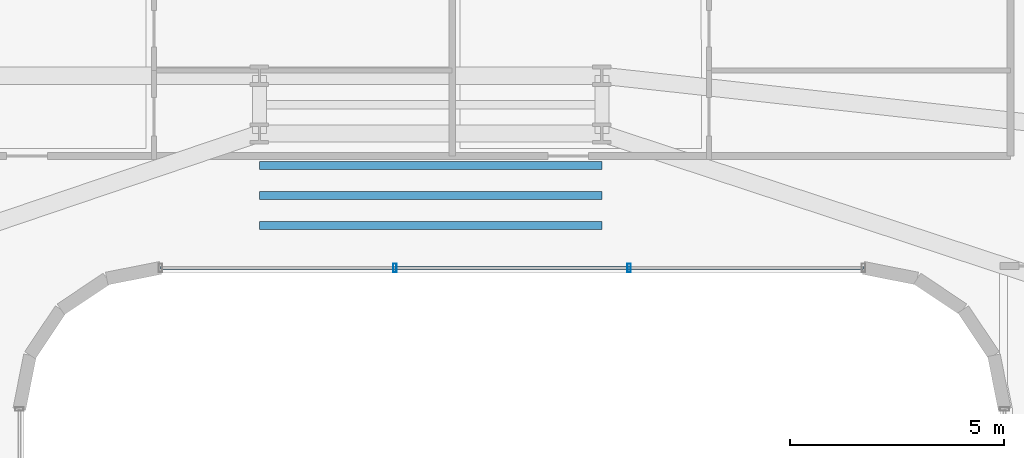
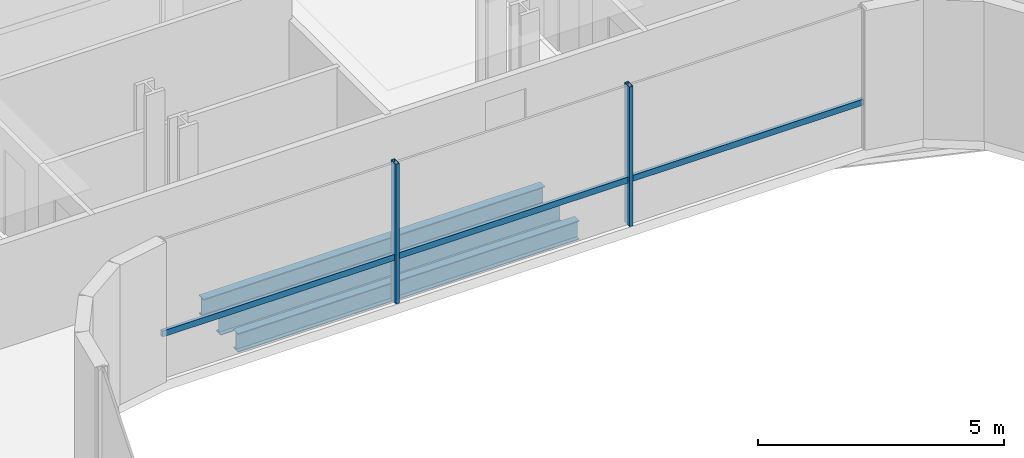
# One storey, part 16 of 41: 3 beams, 3 members, 1 element without a shape of its own.
"""IFC4 building model written with IfcOpenShell, lengths in metres."""

from ifc_helpers import new_model, si_unit, direction, frame, origin, origin_2d, place, context, subcontext, project, spatial, hollow_rectangle, i_section, extrude, source, transform, mapped, material, material_profile, profile_set, type_object, element, aggregate, save


model = new_model("IFC4")

# Units and contexts
model_context = context("Model", 3, precision=1e-05, world=origin(), true_north=direction((0.0, 1.0)))
body_context = subcontext(model_context, "Body", "Model", "MODEL_VIEW")
ifc_project = project(units=[si_unit("LENGTHUNIT", "METRE"), si_unit("AREAUNIT", "SQUARE_METRE"), si_unit("VOLUMEUNIT", "CUBIC_METRE"), si_unit("PLANEANGLEUNIT", "RADIAN"), si_unit("MASSUNIT", "GRAM", prefix="KILO")], contexts=[model_context])

# Site, building, storey
site_placement = place(None, origin())
site = spatial("IfcSite", under=ifc_project, at=site_placement, CompositionType="ELEMENT")
building_placement = place(site_placement, origin())
building = spatial("IfcBuilding", under=site, at=building_placement, Name="Valdorenza Pilgrim Sanctuary Tower", CompositionType="ELEMENT")
storey_placement = place(building_placement, frame((0.0, 0.0, 85.199951171875)))
storey = spatial("IfcBuildingStorey", under=building, at=storey_placement, Name="L21", CompositionType="ELEMENT", Elevation=85.199951171875)

# Beams
ifc_material_1 = material(Name="Steel ASTM A992 Grade 50", Category="steel")
ifc_material_profile_1 = material_profile(ifc_material_1, i_section(OverallWidth=0.193115234375, OverallDepth=0.466064453125, WebThickness=0.011474609375, FlangeThickness=0.01904296875, at=origin_2d()), Name="W18X65")
ifc_profile_set_1 = profile_set([ifc_material_profile_1], Name="Steel ASTM A992 Grade 50")
beam_type = type_object("IfcBeamType", Name="STR-BM-JST-W18A", PredefinedType="JOIST", material=ifc_profile_set_1)
shared_shape_1 = source(origin(), body_context, "Body", "SweptSolid", [
    extrude(i_section(OverallWidth=0.193115234375, OverallDepth=0.466064453125, WebThickness=0.011474609375, FlangeThickness=0.01904296875, at=origin_2d()), origin(), (0.0, 0.0, 1.0), 8.0),
])
for number, where, z_axis, x_axis, name in (
    (1, (-4.0, 11.300048828125, -0.472900390625), (1.0, 0.0, 0.0), (0.0, 1.0, 0.0), "L21 Knuckle Composite Joist JST-KNK-1"),
    (2, (-4.0, 12.0, -0.472900390625), (1.0, 0.0, 0.0), (0.0, 1.0, 0.0), "L21 Knuckle Composite Joist JST-KNK-2"),
    (3, (-4.0, 12.699951171875, -0.472900390625), (1.0, 0.0, 0.0), (0.0, 1.0, 0.0), "L21 Knuckle Composite Joist JST-KNK-3"),
):
    element("IfcBeam", number, at=place(storey_placement, frame(where, z_axis=z_axis, x_axis=x_axis)), inside=storey, type_object=beam_type, Name=name, PredefinedType="JOIST", context=body_context, shape_type="MappedRepresentation", body=[
        mapped(shared_shape_1, transform((0.0, 0.0, 0.0), x_axis=(1.0, 0.0, 0.0), y_axis=(0.0, 1.0, 0.0), z_axis=(0.0, 0.0, 1.0), scale=1.0)),
    ])

# Curtain wall, members
ifc_material_2 = material(Name="Curtain-wall IGU glazing", Category="glass")
curtain_wall_type = type_object("IfcCurtainWallType", Name="CW-SYS-02", PredefinedType="NOTDEFINED", material=ifc_material_2)
curtain_wall_placement = place(storey_placement, origin())
curtain_wall = element("IfcCurtainWall", 4, at=curtain_wall_placement, inside=storey, type_object=curtain_wall_type, Name="L21 Curtain Wall CW-L21-1-36", PredefinedType="NOTDEFINED")
ifc_material_3 = material(Name="Anodised aluminium AW-6060", Category="aluminium")
ifc_material_profile_2 = material_profile(ifc_material_3, hollow_rectangle(XDim=0.0849609375, YDim=0.199951171875, WallThickness=0.0048828125, at=origin_2d()), Name="ALU-M 200x85x5")
ifc_profile_set_2 = profile_set([ifc_material_profile_2], Name="Anodised aluminium AW-6060")
member_type_1 = type_object("IfcMemberType", Name="CW-MUL-02", PredefinedType="MULLION", material=ifc_profile_set_2)
shared_shape_2 = source(origin(), body_context, "Body", "SweptSolid", [
    extrude(hollow_rectangle(XDim=0.0849609375, YDim=0.199951171875, WallThickness=0.0048828125, at=origin_2d()), origin(), (0.0, 0.0, 1.0), 3.4599609375),
])
member_1_placement = place(storey_placement, frame((4.636962890625, 10.31005859375, 0.0), z_axis=(0.0, 0.0, 1.0), x_axis=(-1.0, 0.0, 0.0)))
member_1 = element("IfcMember", 5, at=member_1_placement, type_object=member_type_1, Name="CW-L21-1-36 Mullion 2", PredefinedType="MULLION", context=body_context, shape_type="MappedRepresentation", body=[
    mapped(shared_shape_2, transform((0.0, 0.0, 0.0), x_axis=(1.0, 0.0, 0.0), y_axis=(0.0, 1.0, 0.0), z_axis=(0.0, 0.0, 1.0), scale=1.0)),
])
member_2_placement = place(storey_placement, frame((-0.8369140625, 10.31005859375, 0.0), z_axis=(0.0, 0.0, 1.0), x_axis=(-1.0, 0.0, 0.0)))
member_2 = element("IfcMember", 6, at=member_2_placement, type_object=member_type_1, Name="CW-L21-1-36 Mullion 3", PredefinedType="MULLION", context=body_context, shape_type="MappedRepresentation", body=[
    mapped(shared_shape_2, transform((0.0, 0.0, 0.0), x_axis=(1.0, 0.0, 0.0), y_axis=(0.0, 1.0, 0.0), z_axis=(0.0, 0.0, 1.0), scale=1.0)),
])
ifc_material_profile_3 = material_profile(ifc_material_3, hollow_rectangle(XDim=0.074951171875, YDim=0.14990234375, WallThickness=0.00390625, at=origin_2d()), Name="ALU-T 150x75x4")
ifc_profile_set_3 = profile_set([ifc_material_profile_3], Name="Anodised aluminium AW-6060")
member_type_2 = type_object("IfcMemberType", Name="CW-TRN-02", PredefinedType="USERDEFINED", material=ifc_profile_set_3)
shared_shape_3 = source(origin(), body_context, "Body", "SweptSolid", [
    extrude(hollow_rectangle(XDim=0.074951171875, YDim=0.14990234375, WallThickness=0.00390625, at=origin_2d()), origin(), (0.0, 0.0, 1.0), 16.421630859375),
])
member_3_placement = place(storey_placement, frame((10.11083984375, 10.31005859375, 1.1201171875), z_axis=(-1.0, 0.0, 0.0), x_axis=(0.0, -1.0, 0.0)))
member_3 = element("IfcMember", 7, at=member_3_placement, type_object=member_type_2, Name="CW-L21-1-36 Transom 1", ObjectType="TRANSOM", PredefinedType="USERDEFINED", context=body_context, shape_type="MappedRepresentation", body=[
    mapped(shared_shape_3, transform((0.0, 0.0, 0.0), x_axis=(1.0, 0.0, 0.0), y_axis=(0.0, 1.0, 0.0), z_axis=(0.0, 0.0, 1.0), scale=1.0)),
])
aggregate(curtain_wall, [member_1, member_2, member_3])

save(model, "model.ifc")
